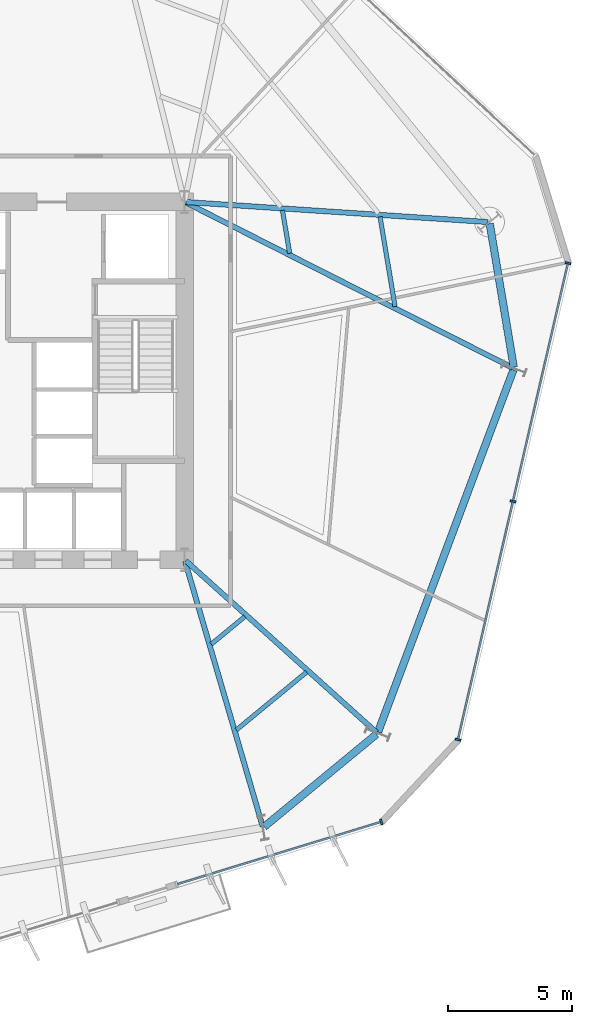
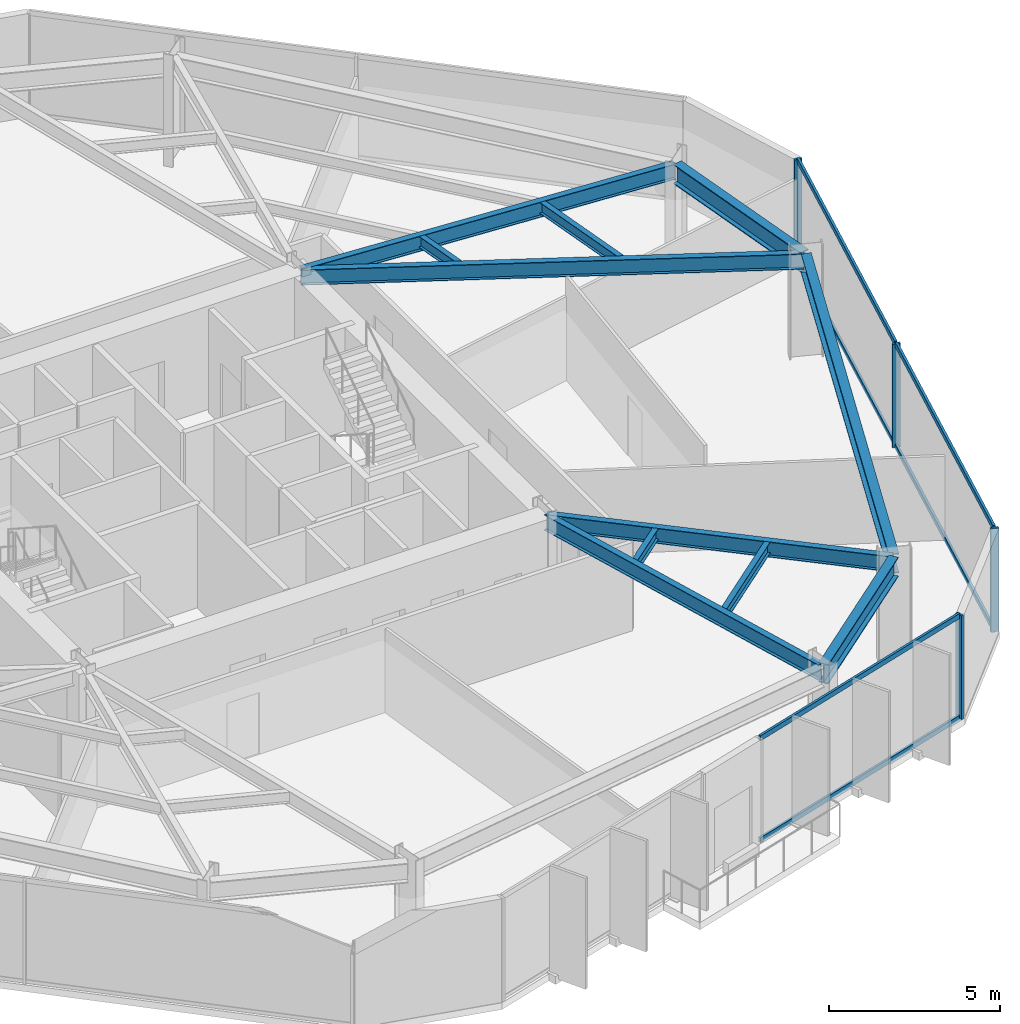
# One storey, part 3 of 9: 11 beams, 10 members, 2 elements without a shape of their own.
"""IFC4 building model written with IfcOpenShell, lengths in metres."""

from ifc_helpers import new_model, si_unit, direction, frame, origin, origin_2d, place, context, subcontext, project, spatial, rectangle, i_section, extrude, material, layer, layer_set, material_profile, profile_set, type_object, element, aggregate, save


model = new_model("IFC4")

# Units and contexts
model_context = context("Model", 3, precision=1e-05, world=origin(), true_north=direction((0.0, 1.0)))
body_context = subcontext(model_context, "Body", "Model", "MODEL_VIEW")
ifc_project = project(units=[si_unit("LENGTHUNIT", "METRE"), si_unit("AREAUNIT", "SQUARE_METRE"), si_unit("VOLUMEUNIT", "CUBIC_METRE"), si_unit("PLANEANGLEUNIT", "RADIAN"), si_unit("MASSUNIT", "GRAM", prefix="KILO")], contexts=[model_context])

# Site, building, storey
site_placement = place(None, origin())
site = spatial("IfcSite", under=ifc_project, at=site_placement, CompositionType="ELEMENT")
building_placement = place(site_placement, origin())
building = spatial("IfcBuilding", under=site, at=building_placement, Name="Kranzbogen Civic Tower", CompositionType="ELEMENT")
storey_placement = place(building_placement, frame((0.0, 0.0, 88.0)))
storey = spatial("IfcBuildingStorey", under=building, at=storey_placement, Name="L21", CompositionType="ELEMENT", Elevation=88.0)

# Curtain wall, member
ifc_material_1 = material(Name="Pale Anodised Aluminium", Category="aluminium")
ifc_layer = layer(ifc_material_1, 0.219970703125, Name="Pale Anodised Aluminium")
ifc_layer_set = layer_set([ifc_layer], Name="Pale Anodised Aluminium")
curtain_wall_type = type_object("IfcCurtainWallType", Name="Zone 1 Stick Curtain Wall System CW-02", PredefinedType="USERDEFINED", material=ifc_layer_set)
curtain_wall_1_placement = place(storey_placement, origin())
curtain_wall_1 = element("IfcCurtainWall", 1, at=curtain_wall_1_placement, inside=storey, type_object=curtain_wall_type, Name="L21 curtain wall CW-L21-F5-S2", ObjectType="STICK CURTAIN WALL", PredefinedType="USERDEFINED")
ifc_material_profile_1 = material_profile(ifc_material_1, rectangle(XDim=0.080078125, YDim=0.239990234375, at=origin_2d()), Name="ALU-M 80x240")
ifc_profile_set_1 = profile_set([ifc_material_profile_1], Name="Pale Anodised Aluminium")
member_type_1 = type_object("IfcMemberType", Name="Curtain Wall Mullion ALU-M 80x240", PredefinedType="MULLION", material=ifc_profile_set_1)
member_1_placement = place(storey_placement, frame((40.71923828125, 7.248291015625, 0.0), z_axis=(0.0, 0.0, 1.0), x_axis=(0.956318442996, 0.292326932707, 0.0)))
member_1 = element("IfcMember", 2, at=member_1_placement, type_object=member_type_1, Name="CW-02 mullion 2", PredefinedType="MULLION", context=body_context, shape_type="SweptSolid", body=[
    extrude(rectangle(XDim=0.080078125, YDim=0.239990234375, at=origin_2d()), origin(), (0.0, 0.0, 1.0), 3.699951171875),
])

# Curtain wall, members
curtain_wall_2_placement = place(storey_placement, origin())
curtain_wall_2 = element("IfcCurtainWall", 3, at=curtain_wall_2_placement, inside=storey, type_object=curtain_wall_type, Name="L21 curtain wall CW-L21-F6", ObjectType="STICK CURTAIN WALL", PredefinedType="USERDEFINED")
member_2_placement = place(storey_placement, frame((43.8056640625, 10.55712890625, 0.0), z_axis=(0.0, 0.0, 1.0), x_axis=(0.224977873109, 0.974363872797, 0.0)))
member_2 = element("IfcMember", 4, at=member_2_placement, type_object=member_type_1, Name="CW-02 mullion 1", PredefinedType="MULLION", context=body_context, shape_type="SweptSolid", body=[
    extrude(rectangle(XDim=0.080078125, YDim=0.239990234375, at=origin_2d()), origin(), (0.0, 0.0, 1.0), 3.699951171875),
])
member_3_placement = place(storey_placement, frame((46.02001953125, 20.14697265625, 0.0), z_axis=(0.0, 0.0, 1.0), x_axis=(0.224977873109, 0.974363872797, 0.0)))
member_3 = element("IfcMember", 5, at=member_3_placement, type_object=member_type_1, Name="CW-02 mullion 2", PredefinedType="MULLION", context=body_context, shape_type="SweptSolid", body=[
    extrude(rectangle(XDim=0.080078125, YDim=0.239990234375, at=origin_2d()), origin(), (0.0, 0.0, 1.0), 3.699951171875),
])
member_4_placement = place(storey_placement, frame((48.234130859375, 29.73681640625, 0.0), z_axis=(0.0, 0.0, 1.0), x_axis=(0.224977873109, 0.974363872797, 0.0)))
member_4 = element("IfcMember", 6, at=member_4_placement, type_object=member_type_1, Name="CW-02 mullion 3", PredefinedType="MULLION", context=body_context, shape_type="SweptSolid", body=[
    extrude(rectangle(XDim=0.080078125, YDim=0.239990234375, at=origin_2d()), origin(), (0.0, 0.0, 1.0), 3.699951171875),
])

# Member
ifc_material_profile_2 = material_profile(ifc_material_1, rectangle(XDim=0.080078125, YDim=0.179931640625, at=origin_2d()), Name="ALU-T 80x180")
ifc_profile_set_2 = profile_set([ifc_material_profile_2], Name="Pale Anodised Aluminium")
member_type_2 = type_object("IfcMemberType", Name="Curtain Wall Transom ALU-T 80x180", PredefinedType="USERDEFINED", material=ifc_profile_set_2)
member_5_placement = place(storey_placement, frame((32.512451171875, 4.739501953125, 0.030029296875), z_axis=(0.956315661701, 0.29233603128, 0.0), x_axis=(-0.29233603128, 0.956315661701, 0.0)))
member_5 = element("IfcMember", 7, at=member_5_placement, type_object=member_type_2, Name="CW-02 transom 1.1", ObjectType="TRANSOM", PredefinedType="USERDEFINED", context=body_context, shape_type="SweptSolid", body=[
    extrude(rectangle(XDim=0.080078125, YDim=0.179931640625, at=origin_2d()), origin(), (0.0, 0.0, 1.0), 8.5517578125),
])

member_6_placement = place(storey_placement, frame((32.512451171875, 4.739501953125, 3.669921875), z_axis=(0.956315661701, 0.29233603128, 0.0), x_axis=(-0.29233603128, 0.956315661701, 0.0)))
member_6 = element("IfcMember", 8, at=member_6_placement, type_object=member_type_2, Name="CW-02 transom 1.2", ObjectType="TRANSOM", PredefinedType="USERDEFINED", context=body_context, shape_type="SweptSolid", body=[
    extrude(rectangle(XDim=0.080078125, YDim=0.179931640625, at=origin_2d()), origin(), (0.0, 0.0, 1.0), 8.5517578125),
])

aggregate(curtain_wall_1, [member_1, member_5, member_6])

member_7_placement = place(storey_placement, frame((43.8125, 10.58642578125, 0.030029296875), z_axis=(0.224972517809, 0.974365109305, 0.0), x_axis=(-0.974365109305, 0.224972517809, 0.0)))
member_7 = element("IfcMember", 9, at=member_7_placement, type_object=member_type_2, Name="CW-02 transom 1.1", ObjectType="TRANSOM", PredefinedType="USERDEFINED", context=body_context, shape_type="SweptSolid", body=[
    extrude(rectangle(XDim=0.080078125, YDim=0.179931640625, at=origin_2d()), origin(), (0.0, 0.0, 1.0), 9.781982421875),
])

member_8_placement = place(storey_placement, frame((43.8125, 10.58642578125, 3.669921875), z_axis=(0.224972517809, 0.974365109305, 0.0), x_axis=(-0.974365109305, 0.224972517809, 0.0)))
member_8 = element("IfcMember", 10, at=member_8_placement, type_object=member_type_2, Name="CW-02 transom 1.2", ObjectType="TRANSOM", PredefinedType="USERDEFINED", context=body_context, shape_type="SweptSolid", body=[
    extrude(rectangle(XDim=0.080078125, YDim=0.179931640625, at=origin_2d()), origin(), (0.0, 0.0, 1.0), 9.781982421875),
])

member_9_placement = place(storey_placement, frame((46.02685546875, 20.17626953125, 0.030029296875), z_axis=(0.224972517809, 0.974365109305, 0.0), x_axis=(-0.974365109305, 0.224972517809, 0.0)))
member_9 = element("IfcMember", 11, at=member_9_placement, type_object=member_type_2, Name="CW-02 transom 2.1", ObjectType="TRANSOM", PredefinedType="USERDEFINED", context=body_context, shape_type="SweptSolid", body=[
    extrude(rectangle(XDim=0.080078125, YDim=0.179931640625, at=origin_2d()), origin(), (0.0, 0.0, 1.0), 9.781982421875),
])

member_10_placement = place(storey_placement, frame((46.02685546875, 20.17626953125, 3.669921875), z_axis=(0.224972517809, 0.974365109305, 0.0), x_axis=(-0.974365109305, 0.224972517809, 0.0)))
member_10 = element("IfcMember", 12, at=member_10_placement, type_object=member_type_2, Name="CW-02 transom 2.2", ObjectType="TRANSOM", PredefinedType="USERDEFINED", context=body_context, shape_type="SweptSolid", body=[
    extrude(rectangle(XDim=0.080078125, YDim=0.179931640625, at=origin_2d()), origin(), (0.0, 0.0, 1.0), 9.781982421875),
])

aggregate(curtain_wall_2, [member_2, member_3, member_4, member_7, member_8, member_9, member_10])

# Beams
ifc_material_2 = material(Name="Steel S355", Category="steel")
ifc_material_profile_3 = material_profile(ifc_material_2, i_section(OverallWidth=0.300048828125, OverallDepth=0.699951171875, WebThickness=0.01708984375, FlangeThickness=0.031982421875, at=origin_2d()), Name="HEB 700")
ifc_profile_set_3 = profile_set([ifc_material_profile_3], Name="Steel S355")
beam_type_1 = type_object("IfcBeamType", Name="Perimeter Tube Spandrel Beam HEB 700", PredefinedType="SPANDREL", material=ifc_profile_set_3)
beam_1_placement = place(storey_placement, frame((36.00390625, 7.050048828125, 3.35009765625), z_axis=(0.77168336865, 0.636006901337, 0.0), x_axis=(-0.636006901337, 0.77168336865, 0.0)))
element("IfcBeam", 13, at=beam_1_placement, inside=storey, type_object=beam_type_1, Name="L21 perimeter spandrel beam 05", PredefinedType="SPANDREL", context=body_context, shape_type="SweptSolid", body=[
    extrude(i_section(OverallWidth=0.300048828125, OverallDepth=0.699951171875, WebThickness=0.01708984375, FlangeThickness=0.031982421875, at=origin_2d()), origin(), (0.0, 0.0, 1.0), 5.853515625),
])
beam_2_placement = place(storey_placement, frame((40.587890625, 10.866943359375, 3.35009765625), z_axis=(0.350172267932, 0.936685316833, 0.0), x_axis=(-0.936685316833, 0.350172267932, 0.0)))
element("IfcBeam", 14, at=beam_2_placement, inside=storey, type_object=beam_type_1, Name="L21 perimeter spandrel beam 06", PredefinedType="SPANDREL", context=body_context, shape_type="SweptSolid", body=[
    extrude(i_section(OverallWidth=0.300048828125, OverallDepth=0.699951171875, WebThickness=0.01708984375, FlangeThickness=0.031982421875, at=origin_2d()), origin(), (0.0, 0.0, 1.0), 15.55810546875),
])
beam_3_placement = place(storey_placement, frame((46.047119140625, 25.554931640625, 3.35009765625), z_axis=(-0.164913116942, 0.986308097838, 0.0), x_axis=(-0.986308097838, -0.164913116942, 0.0)))
element("IfcBeam", 15, at=beam_3_placement, inside=storey, type_object=beam_type_1, Name="L21 perimeter spandrel beam 07", PredefinedType="SPANDREL", context=body_context, shape_type="SweptSolid", body=[
    extrude(i_section(OverallWidth=0.300048828125, OverallDepth=0.699951171875, WebThickness=0.01708984375, FlangeThickness=0.031982421875, at=origin_2d()), origin(), (0.0, 0.0, 1.0), 5.85205078125),
])
ifc_material_profile_4 = material_profile(ifc_material_2, i_section(OverallWidth=0.2099609375, OverallDepth=0.550048828125, WebThickness=0.010986328125, FlangeThickness=0.01708984375, at=origin_2d()), Name="IPE 550")
ifc_profile_set_4 = profile_set([ifc_material_profile_4], Name="Steel S355")
beam_type_2 = type_object("IfcBeamType", Name="Radial Tower Floor Girder IPE 550", PredefinedType="BEAM", material=ifc_profile_set_4)
beam_4_placement = place(storey_placement, frame((35.94091796875, 7.070068359375, 3.425048828125), z_axis=(-0.280944131918, 0.959724124288, 0.0), x_axis=(-0.959724124288, -0.280944131918, 0.0)))
element("IfcBeam", 16, at=beam_4_placement, inside=storey, type_object=beam_type_2, Name="L21 radial floor girder 05", PredefinedType="BEAM", context=body_context, shape_type="SweptSolid", body=[
    extrude(i_section(OverallWidth=0.2099609375, OverallDepth=0.550048828125, WebThickness=0.010986328125, FlangeThickness=0.01708984375, at=origin_2d()), origin(), (0.0, 0.0, 1.0), 11.11962890625),
])
beam_5_placement = place(storey_placement, frame((40.52197265625, 10.85107421875, 3.425048828125), z_axis=(-0.743311776894, 0.668945141496, 0.0), x_axis=(-0.668945141496, -0.743311776894, 0.0)))
element("IfcBeam", 17, at=beam_5_placement, inside=storey, type_object=beam_type_2, Name="L21 radial floor girder 06", PredefinedType="BEAM", context=body_context, shape_type="SweptSolid", body=[
    extrude(i_section(OverallWidth=0.2099609375, OverallDepth=0.550048828125, WebThickness=0.010986328125, FlangeThickness=0.01708984375, at=origin_2d()), origin(), (0.0, 0.0, 1.0), 10.328125),
])
beam_6_placement = place(storey_placement, frame((46.0029296875, 25.52294921875, 3.425048828125), z_axis=(-0.892363219254, 0.451317942168, 0.0), x_axis=(-0.451317942168, -0.892363219254, 0.0)))
element("IfcBeam", 18, at=beam_6_placement, inside=storey, type_object=beam_type_2, Name="L21 radial floor girder 07", PredefinedType="BEAM", context=body_context, shape_type="SweptSolid", body=[
    extrude(i_section(OverallWidth=0.2099609375, OverallDepth=0.550048828125, WebThickness=0.010986328125, FlangeThickness=0.01708984375, at=origin_2d()), origin(), (0.0, 0.0, 1.0), 14.73486328125),
])
beam_7_placement = place(storey_placement, frame((45.011962890625, 31.389892578125, 3.425048828125), z_axis=(-0.99780674843, 0.066194356156, 0.0), x_axis=(-0.066194356156, -0.99780674843, 0.0)))
element("IfcBeam", 19, at=beam_7_placement, inside=storey, type_object=beam_type_2, Name="L21 radial floor girder 08", PredefinedType="BEAM", context=body_context, shape_type="SweptSolid", body=[
    extrude(i_section(OverallWidth=0.2099609375, OverallDepth=0.550048828125, WebThickness=0.010986328125, FlangeThickness=0.01708984375, at=origin_2d()), origin(), (0.0, 0.0, 1.0), 12.178466796875),
])
ifc_material_profile_5 = material_profile(ifc_material_2, i_section(OverallWidth=0.179931640625, OverallDepth=0.39990234375, WebThickness=0.008544921875, FlangeThickness=0.013427734375, at=origin_2d()), Name="IPE 400")
ifc_profile_set_5 = profile_set([ifc_material_profile_5], Name="Steel S355")
beam_type_3 = type_object("IfcBeamType", Name="Secondary Composite Floor Joist IPE 400", PredefinedType="JOIST", material=ifc_profile_set_5)
beam_8_placement = place(storey_placement, frame((34.883056640625, 10.947021484375, 3.5), z_axis=(0.771712720426, 0.635971286406, 0.0), x_axis=(-0.635971286406, 0.771712720426, 0.0)))
element("IfcBeam", 20, at=beam_8_placement, inside=storey, type_object=beam_type_3, Name="L21 secondary floor joist 1.05", PredefinedType="JOIST", context=body_context, shape_type="SweptSolid", body=[
    extrude(i_section(OverallWidth=0.179931640625, OverallDepth=0.39990234375, WebThickness=0.008544921875, FlangeThickness=0.013427734375, at=origin_2d()), origin(), (0.0, 0.0, 1.0), 3.661865234375),
])
beam_9_placement = place(storey_placement, frame((33.8720703125, 14.39892578125, 3.5), z_axis=(0.771773324836, 0.635897739477, 0.0), x_axis=(-0.635897739477, 0.771773324836, 0.0)))
element("IfcBeam", 21, at=beam_9_placement, inside=storey, type_object=beam_type_3, Name="L21 secondary floor joist 2.05", PredefinedType="JOIST", context=body_context, shape_type="SweptSolid", body=[
    extrude(i_section(OverallWidth=0.179931640625, OverallDepth=0.39990234375, WebThickness=0.008544921875, FlangeThickness=0.013427734375, at=origin_2d()), origin(), (0.0, 0.0, 1.0), 1.751953125),
])
beam_10_placement = place(storey_placement, frame((41.27099609375, 27.988037109375, 3.5), z_axis=(-0.164928678379, 0.986305495802, 0.0), x_axis=(-0.986305495802, -0.164928678379, 0.0)))
element("IfcBeam", 22, at=beam_10_placement, inside=storey, type_object=beam_type_3, Name="L21 secondary floor joist 1.07", PredefinedType="JOIST", context=body_context, shape_type="SweptSolid", body=[
    extrude(i_section(OverallWidth=0.179931640625, OverallDepth=0.39990234375, WebThickness=0.008544921875, FlangeThickness=0.013427734375, at=origin_2d()), origin(), (0.0, 0.0, 1.0), 3.662109375),
])
beam_11_placement = place(storey_placement, frame((37.029052734375, 30.134033203125, 3.5), z_axis=(-0.165077224104, 0.986280644686, 0.0), x_axis=(-0.986280644686, -0.165077224104, 0.0)))
element("IfcBeam", 23, at=beam_11_placement, inside=storey, type_object=beam_type_3, Name="L21 secondary floor joist 2.07", PredefinedType="JOIST", context=body_context, shape_type="SweptSolid", body=[
    extrude(i_section(OverallWidth=0.179931640625, OverallDepth=0.39990234375, WebThickness=0.008544921875, FlangeThickness=0.013427734375, at=origin_2d()), origin(), (0.0, 0.0, 1.0), 1.7509765625),
])

save(model, "model.ifc")
